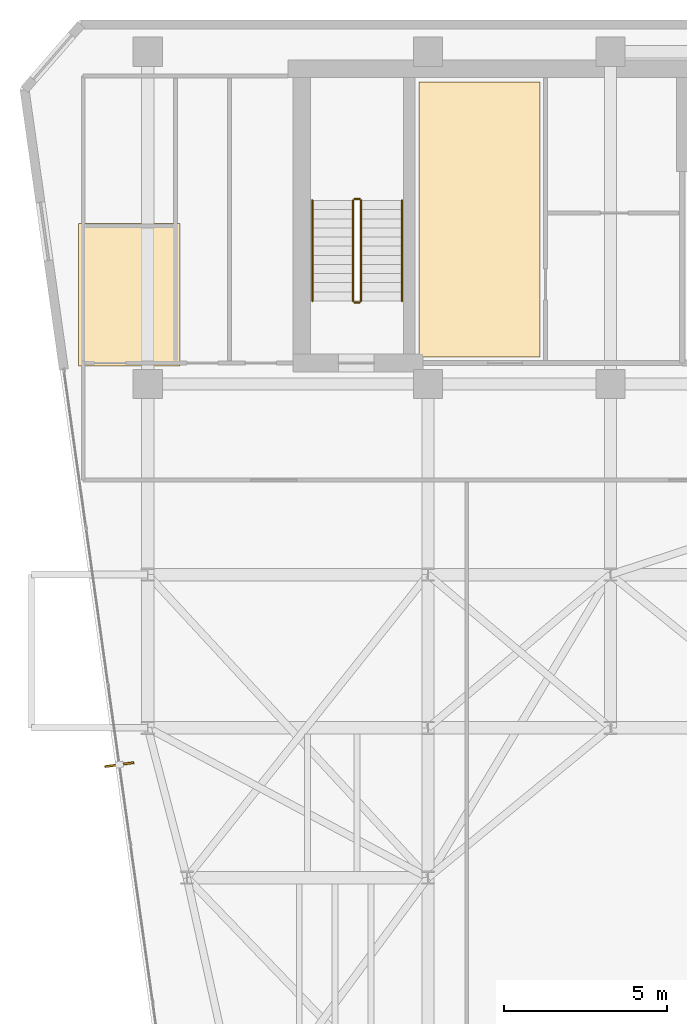
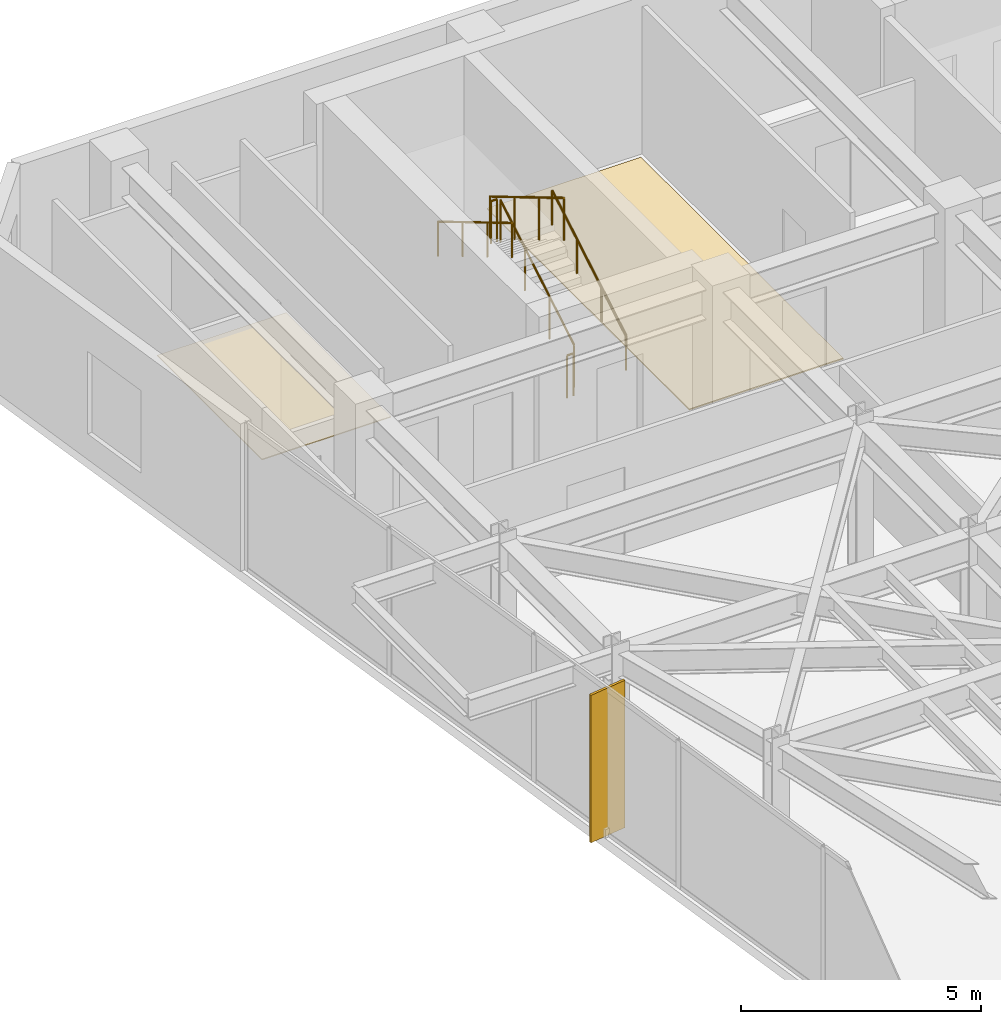
# One storey, part 25 of 27: 6 railings, 2 coverings, 1 shading device.
"""IFC4 building model written with IfcOpenShell, lengths in metres."""

from ifc_helpers import new_model, si_unit, direction, frame, origin, origin_2d, place, context, subcontext, project, spatial, polyline, rectangle, circle, outline, extrude, material, layer, layer_set, type_object, element, save


model = new_model("IFC4")

# Units and contexts
model_context = context("Model", 3, precision=1e-05, world=origin(), true_north=direction((0.0, 1.0)))
body_context = subcontext(model_context, "Body", "Model", "MODEL_VIEW")
ifc_project = project(units=[si_unit("LENGTHUNIT", "METRE"), si_unit("AREAUNIT", "SQUARE_METRE"), si_unit("VOLUMEUNIT", "CUBIC_METRE"), si_unit("PLANEANGLEUNIT", "RADIAN"), si_unit("MASSUNIT", "GRAM", prefix="KILO")], contexts=[model_context])

# Site, building, storey
site_placement = place(None, origin())
site = spatial("IfcSite", under=ifc_project, at=site_placement, CompositionType="ELEMENT")
building_placement = place(site_placement, origin())
building = spatial("IfcBuilding", under=site, at=building_placement, Name="Kravanh Interchange Tower", CompositionType="ELEMENT")
storey_placement = place(building_placement, frame((0.0, 0.0, 196.5)))
storey = spatial("IfcBuildingStorey", under=building, at=storey_placement, Name="L47", CompositionType="ELEMENT", Elevation=196.5)

# Coverings
ifc_material_1 = material(Name="Cementitious Terrazzo Tile")
ifc_layer_1 = layer(ifc_material_1, 0.030029296875)
ifc_layer_set_1 = layer_set([ifc_layer_1], Name="Honed Terrazzo Lobby Flooring 30mm")
covering_type_1 = type_object("IfcCoveringType", Name="Honed Terrazzo Lobby Flooring 30mm", PredefinedType="FLOORING", material=ifc_layer_set_1)
covering_1_placement = place(storey_placement, origin())
element("IfcCovering", 1, at=covering_1_placement, inside=storey, type_object=covering_type_1, Name="L47 Staff Break and Coffee Room Floor Finish", PredefinedType="FLOORING", context=body_context, shape_type="SweptSolid", body=[
    extrude(outline(polyline([(26.929931640625, 46.6201171875), (30.639892578125, 46.6201171875), (30.639892578125, 38.179931640625), (26.929931640625, 38.179931640625), (26.929931640625, 46.6201171875)])), origin(), (0.0, 0.0, 1.0), 0.030029296875),
])
ifc_material_2 = material(Name="Acoustic Mineral Fibre Tile on Aluminium Grid", Category="aluminium")
ifc_layer_2 = layer(ifc_material_2, 0.02490234375)
ifc_layer_set_2 = layer_set([ifc_layer_2], Name="Perforated Acoustic Mineral Ceiling 25mm")
covering_type_2 = type_object("IfcCoveringType", Name="Perforated Acoustic Mineral Ceiling 25mm", PredefinedType="CEILING", material=ifc_layer_set_2)
covering_2_placement = place(storey_placement, frame((0.0, 0.0, 2.550048828125)))
element("IfcCovering", 2, at=covering_2_placement, inside=storey, type_object=covering_type_2, Name="L47 Accessible WC Suspended Ceiling", PredefinedType="CEILING", context=body_context, shape_type="SweptSolid", body=[
    extrude(outline(polyline([(19.590087890625, 42.280029296875), (19.590087890625, 37.909912109375), (16.47998046875, 37.909912109375), (16.47998046875, 42.280029296875), (19.590087890625, 42.280029296875)])), origin(), (0.0, 0.0, 1.0), 0.02490234375),
])

# Railings
ifc_material_3 = material(Name="Structural Steel S355", Category="steel")
ifc_layer_3 = layer(ifc_material_3, 0.050048828125)
ifc_layer_set_3 = layer_set([ifc_layer_3], Name="Stair Well Guardrail Structural Steel S355 1100mm")
railing_type_1 = type_object("IfcRailingType", Name="Stair Well Guardrail Structural Steel S355 1100mm", PredefinedType="GUARDRAIL", material=ifc_layer_set_3)
railing_1_placement = place(storey_placement, frame((25.14990234375, 39.89990234375, 0.166748046875)))
element("IfcRailing", 3, at=railing_1_placement, inside=storey, type_object=railing_type_1, Name="L47 ST3 stair guard 1", PredefinedType="GUARDRAIL", context=body_context, shape_type="SweptSolid", body=[
    extrude(circle(Radius=0.02392578125, at=origin_2d()), frame((0.0, 0.0, 1.076171875), z_axis=(0.0, 0.859308565015, 0.511457515432), x_axis=(-1.0, 0.0, 0.0)), (0.0, 0.0, 1.0), 3.58447265625),
    extrude(circle(Radius=0.02099609375, at=origin_2d()), origin(), (0.0, 0.0, 1.0), 1.052001953125),
    extrude(circle(Radius=0.02099609375, at=origin_2d()), frame((0.0, 1.026611328125, 0.611083984375)), (0.0, 0.0, 1.0), 1.052001953125),
    extrude(circle(Radius=0.02099609375, at=origin_2d()), frame((0.0, 2.053466796875, 1.22216796875)), (0.0, 0.0, 1.0), 1.052001953125),
    extrude(circle(Radius=0.02099609375, at=origin_2d()), frame((0.0, 3.080078125, 1.833251953125)), (0.0, 0.0, 1.0), 1.052001953125),
])
railing_2_placement = place(storey_placement, frame((25.10009765625, 43.030029296875, 2.0)))
element("IfcRailing", 4, at=railing_2_placement, inside=storey, type_object=railing_type_1, Name="L47 ST3 stair guard 2", PredefinedType="GUARDRAIL", context=body_context, shape_type="SweptSolid", body=[
    extrude(circle(Radius=0.02392578125, at=origin_2d()), frame((0.0, 0.0, 1.076171875), z_axis=(-1.0, 0.0, 0.0), x_axis=(0.0, -1.0, 0.0)), (0.0, 0.0, 1.0), 0.150146484375),
    extrude(circle(Radius=0.02099609375, at=origin_2d()), origin(), (0.0, 0.0, 1.0), 1.052001953125),
    extrude(circle(Radius=0.02099609375, at=origin_2d()), frame((-0.150146484375, 0.0, 0.0)), (0.0, 0.0, 1.0), 1.052001953125),
])
railing_3_placement = place(storey_placement, frame((24.89990234375, 42.97998046875, 2.166748046875)))
element("IfcRailing", 5, at=railing_3_placement, inside=storey, type_object=railing_type_1, Name="L47 ST3 stair guard 3", PredefinedType="GUARDRAIL", context=body_context, shape_type="SweptSolid", body=[
    extrude(circle(Radius=0.02392578125, at=origin_2d()), frame((0.0, 0.0, 1.076171875), z_axis=(0.0, -0.859308565015, 0.511457515432), x_axis=(1.0, 0.0, 0.0)), (0.0, 0.0, 1.0), 3.58447265625),
    extrude(circle(Radius=0.02099609375, at=origin_2d()), origin(), (0.0, 0.0, 1.0), 1.052001953125),
    extrude(circle(Radius=0.02099609375, at=origin_2d()), frame((0.0, -1.026611328125, 0.611083984375)), (0.0, 0.0, 1.0), 1.052001953125),
    extrude(circle(Radius=0.02099609375, at=origin_2d()), frame((0.0, -2.053466796875, 1.22216796875)), (0.0, 0.0, 1.0), 1.052001953125),
    extrude(circle(Radius=0.02099609375, at=origin_2d()), frame((0.0, -3.080078125, 1.833251953125)), (0.0, 0.0, 1.0), 1.052001953125),
])
railing_4_placement = place(storey_placement, frame((25.10009765625, 39.85009765625, 0.0)))
element("IfcRailing", 6, at=railing_4_placement, inside=storey, type_object=railing_type_1, Name="L47 ST3 stair guard 4", PredefinedType="GUARDRAIL", context=body_context, shape_type="SweptSolid", body=[
    extrude(circle(Radius=0.02392578125, at=origin_2d()), frame((0.0, 0.0, 1.076171875), z_axis=(-1.0, 0.0, 0.0), x_axis=(0.0, -1.0, 0.0)), (0.0, 0.0, 1.0), 0.150146484375),
    extrude(circle(Radius=0.02099609375, at=origin_2d()), origin(), (0.0, 0.0, 1.0), 1.052001953125),
    extrude(circle(Radius=0.02099609375, at=origin_2d()), frame((-0.150146484375, 0.0, 0.0)), (0.0, 0.0, 1.0), 1.052001953125),
])
ifc_material_4 = material(Name="Stainless Steel 304", Category="steel")
ifc_layer_4 = layer(ifc_material_4, 0.044921875)
ifc_layer_set_4 = layer_set([ifc_layer_4], Name="Tubular Stair Handrail Stainless 304 900mm")
railing_type_2 = type_object("IfcRailingType", Name="Tubular Stair Handrail Stainless 304 900mm", PredefinedType="HANDRAIL", material=ifc_layer_set_4)
railing_5_placement = place(storey_placement, frame((26.39990234375, 39.89990234375, 0.166748046875)))
element("IfcRailing", 7, at=railing_5_placement, inside=storey, type_object=railing_type_2, Name="L47 ST3 stair handrail 1", PredefinedType="HANDRAIL", context=body_context, shape_type="SweptSolid", body=[
    extrude(circle(Radius=0.02392578125, at=origin_2d()), frame((0.0, 0.0, 0.8759765625), z_axis=(0.0, 0.859308565015, 0.511457515432), x_axis=(-1.0, 0.0, 0.0)), (0.0, 0.0, 1.0), 3.58447265625),
    extrude(circle(Radius=0.02099609375, at=origin_2d()), origin(), (0.0, 0.0, 1.0), 0.851806640625),
    extrude(circle(Radius=0.02099609375, at=origin_2d()), frame((0.0, 1.026611328125, 0.611083984375)), (0.0, 0.0, 1.0), 0.851806640625),
    extrude(circle(Radius=0.02099609375, at=origin_2d()), frame((0.0, 2.053466796875, 1.22216796875)), (0.0, 0.0, 1.0), 0.851806640625),
    extrude(circle(Radius=0.02099609375, at=origin_2d()), frame((0.0, 3.080078125, 1.833251953125)), (0.0, 0.0, 1.0), 0.851806640625),
])
railing_6_placement = place(storey_placement, frame((23.64990234375, 42.97998046875, 2.166748046875)))
element("IfcRailing", 8, at=railing_6_placement, inside=storey, type_object=railing_type_2, Name="L47 ST3 stair handrail 2", PredefinedType="HANDRAIL", context=body_context, shape_type="SweptSolid", body=[
    extrude(circle(Radius=0.02392578125, at=origin_2d()), frame((0.0, 0.0, 0.8759765625), z_axis=(0.0, -0.859308565015, 0.511457515432), x_axis=(1.0, 0.0, 0.0)), (0.0, 0.0, 1.0), 3.58447265625),
    extrude(circle(Radius=0.02099609375, at=origin_2d()), origin(), (0.0, 0.0, 1.0), 0.851806640625),
    extrude(circle(Radius=0.02099609375, at=origin_2d()), frame((0.0, -1.026611328125, 0.611083984375)), (0.0, 0.0, 1.0), 0.851806640625),
    extrude(circle(Radius=0.02099609375, at=origin_2d()), frame((0.0, -2.053466796875, 1.22216796875)), (0.0, 0.0, 1.0), 0.851806640625),
    extrude(circle(Radius=0.02099609375, at=origin_2d()), frame((0.0, -3.080078125, 1.833251953125)), (0.0, 0.0, 1.0), 0.851806640625),
])

# Shading device
ifc_material_5 = material(Name="Anodised Champagne Bronze Aluminium", Category="aluminium")
ifc_layer_5 = layer(ifc_material_5, 0.06005859375)
ifc_layer_set_5 = layer_set([ifc_layer_5], Name="Vertical Bronze Solar Fin 900mm")
shading_device_type = type_object("IfcShadingDeviceType", Name="Vertical Bronze Solar Fin 900mm", PredefinedType="USERDEFINED", material=ifc_layer_set_5)
shading_device_placement = place(storey_placement, frame((17.729736328125, 25.67041015625, 0.0), z_axis=(0.0, 0.0, 1.0), x_axis=(-0.990268182791, -0.139172289451, 0.0)))
element("IfcShadingDevice", 9, at=shading_device_placement, inside=storey, type_object=shading_device_type, Name="L47 BRONZE SOLAR FIN 1", ObjectType="FIN", PredefinedType="USERDEFINED", context=body_context, shape_type="SweptSolid", body=[
    extrude(rectangle(XDim=0.89990234375, YDim=0.06005859375, at=origin_2d()), origin(), (0.0, 0.0, 1.0), 3.7548828125),
])

save(model, "model.ifc")
